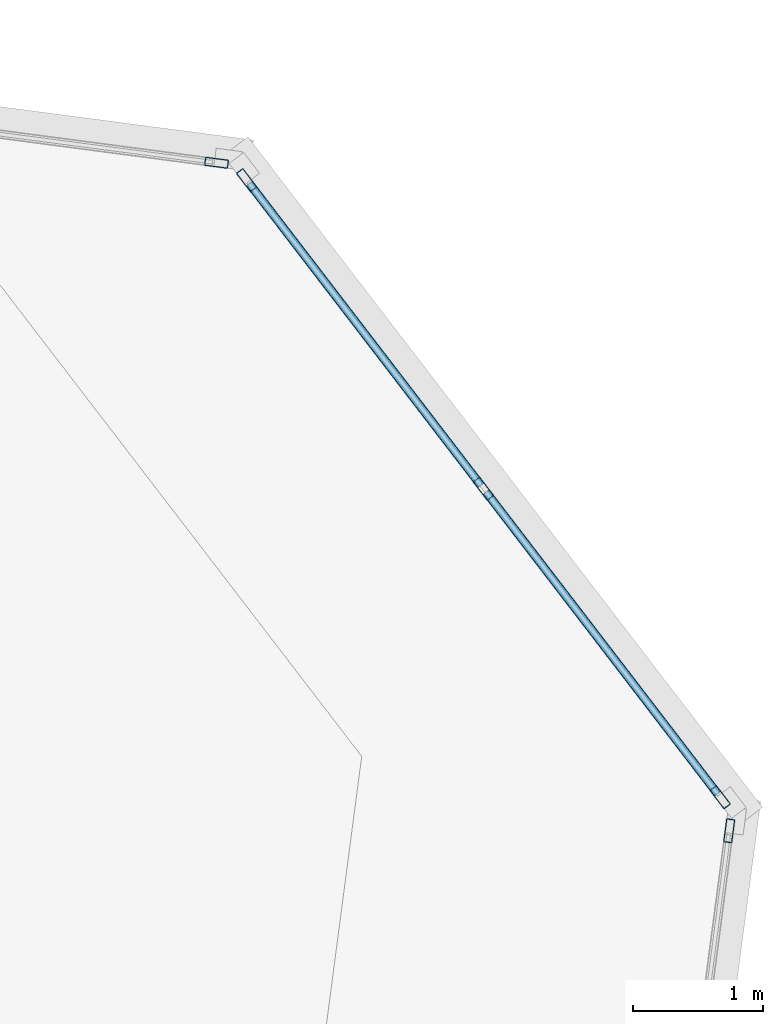
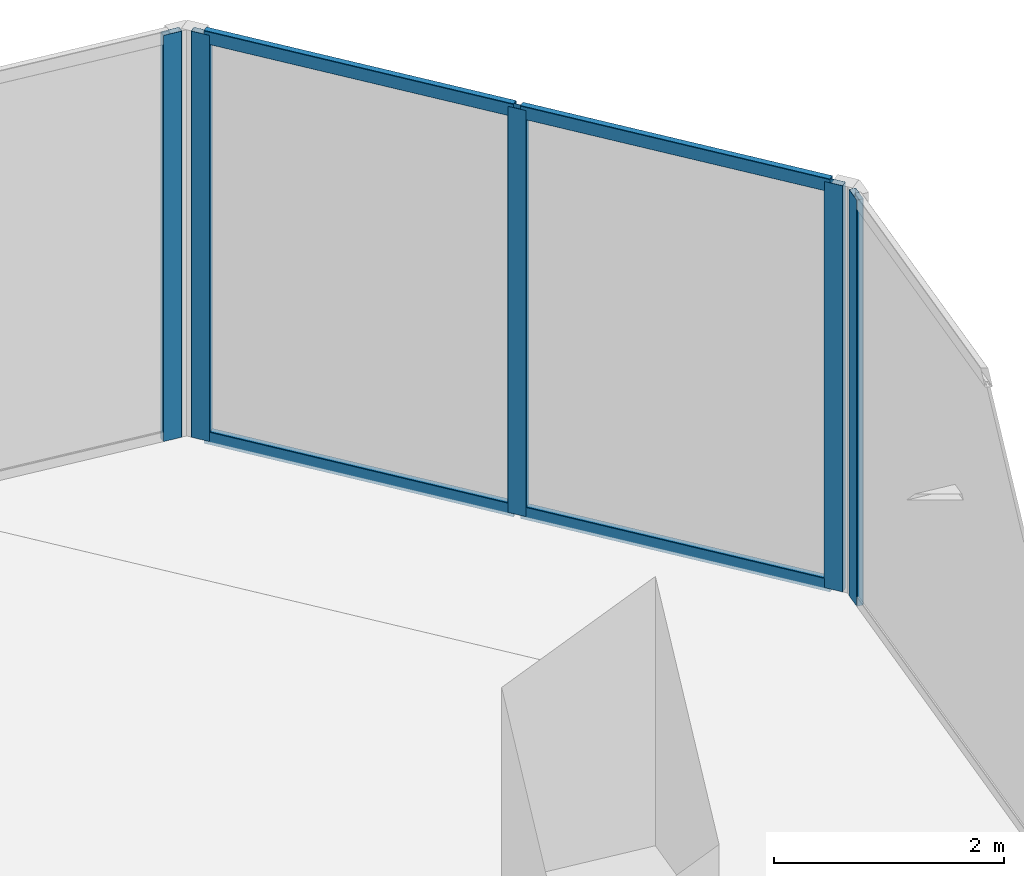
# One storey, part 14 of 24: 9 members, 3 elements without a shape of their own.
"""IFC4 building model written with IfcOpenShell, lengths in metres."""

from ifc_helpers import new_model, si_unit, direction, frame, origin, origin_2d, place, context, subcontext, project, spatial, hollow_rectangle, extrude, source, transform, mapped, material, material_profile, profile_set, type_object, element, aggregate, save


model = new_model("IFC4")

# Units and contexts
model_context = context("Model", 3, precision=1e-05, world=origin(), true_north=direction((0.0, 1.0)))
body_context = subcontext(model_context, "Body", "Model", "MODEL_VIEW")
ifc_project = project(units=[si_unit("LENGTHUNIT", "METRE"), si_unit("AREAUNIT", "SQUARE_METRE"), si_unit("VOLUMEUNIT", "CUBIC_METRE"), si_unit("PLANEANGLEUNIT", "RADIAN"), si_unit("MASSUNIT", "GRAM", prefix="KILO")], contexts=[model_context])

# Site, building, storey
site_placement = place(None, origin())
site = spatial("IfcSite", under=ifc_project, at=site_placement, CompositionType="ELEMENT")
building_placement = place(site_placement, origin())
building = spatial("IfcBuilding", under=site, at=building_placement, Name="Torre Montelarca", CompositionType="ELEMENT")
storey_placement = place(building_placement, frame((0.0, 0.0, 61.60009765625)))
storey = spatial("IfcBuildingStorey", under=building, at=storey_placement, Name="L13", CompositionType="ELEMENT", Elevation=61.60009765625)

# Curtain wall, members
ifc_material_1 = material(Name="Insulated low-E laminated glass", Category="glass")
curtain_wall_type = type_object("IfcCurtainWallType", Name="CW-SYS-Z1", PredefinedType="USERDEFINED", material=ifc_material_1)
curtain_wall_1_placement = place(storey_placement, origin())
curtain_wall_1 = element("IfcCurtainWall", 1, at=curtain_wall_1_placement, inside=storey, type_object=curtain_wall_type, Name="L13 Curtain Wall Run CW-T3-L13-E07-B1", ObjectType="UNITISED GLAZING", PredefinedType="USERDEFINED")
ifc_material_2 = material(Name="Anodised aluminium AA 6063-T6", Category="aluminium")
ifc_material_profile_1 = material_profile(ifc_material_2, hollow_rectangle(XDim=0.06494140625, YDim=0.139892578125, WallThickness=0.00390625, InnerFilletRadius=0.00390625, OuterFilletRadius=0.008056640625, at=origin_2d()), Name="ALU65X140X4", Category="aluminium")
ifc_profile_set_1 = profile_set([ifc_material_profile_1], Name="Anodised aluminium AA 6063-T6")
member_type_1 = type_object("IfcMemberType", Name="CWT-ALU140", PredefinedType="USERDEFINED", material=ifc_profile_set_1)
shared_shape_1 = source(origin(), body_context, "Body", "SweptSolid", [
    extrude(hollow_rectangle(XDim=0.06494140625, YDim=0.139892578125, WallThickness=0.00390625, InnerFilletRadius=0.00390625, OuterFilletRadius=0.008056640625, at=origin_2d()), origin(), (0.0, 0.0, 1.0), 2.918701171875),
])
member_1_placement = place(storey_placement, frame((64.82080078125, 38.169677734375, 0.032470703125), z_axis=(-0.608796748058, 0.793326237783, 0.0), x_axis=(-0.793326237783, -0.608796748058, 0.0)))
member_1 = element("IfcMember", 2, at=member_1_placement, type_object=member_type_1, Name="CW transom 1.1", ObjectType="TRANSOM", PredefinedType="USERDEFINED", context=body_context, shape_type="MappedRepresentation", body=[
    mapped(shared_shape_1, transform((0.0, 0.0, 0.0), scale=1.0)),
])
member_2_placement = place(storey_placement, frame((64.82080078125, 38.169677734375, 4.287353515625), z_axis=(-0.608796748058, 0.793326237783, 0.0), x_axis=(-0.793326237783, -0.608796748058, 0.0)))
member_2 = element("IfcMember", 3, at=member_2_placement, type_object=member_type_1, Name="CW transom 1.2", ObjectType="TRANSOM", PredefinedType="USERDEFINED", context=body_context, shape_type="MappedRepresentation", body=[
    mapped(shared_shape_1, transform((0.0, 0.0, 0.0), scale=1.0)),
])
member_3_placement = place(storey_placement, frame((63.00439453125, 40.53662109375, 0.032470703125), z_axis=(-0.608703699202, 0.793397634593, 0.0), x_axis=(-0.793397634593, -0.608703699202, 0.0)))
member_3 = element("IfcMember", 4, at=member_3_placement, type_object=member_type_1, Name="CW transom 2.1", ObjectType="TRANSOM", PredefinedType="USERDEFINED", context=body_context, shape_type="MappedRepresentation", body=[
    mapped(shared_shape_1, transform((0.0, 0.0, 0.0), scale=1.0)),
])
member_4_placement = place(storey_placement, frame((63.00439453125, 40.53662109375, 4.287353515625), z_axis=(-0.608703699202, 0.793397634593, 0.0), x_axis=(-0.793397634593, -0.608703699202, 0.0)))
member_4 = element("IfcMember", 5, at=member_4_placement, type_object=member_type_1, Name="CW transom 2.2", ObjectType="TRANSOM", PredefinedType="USERDEFINED", context=body_context, shape_type="MappedRepresentation", body=[
    mapped(shared_shape_1, transform((0.0, 0.0, 0.0), scale=1.0)),
])

# Curtain wall, member
curtain_wall_2_placement = place(storey_placement, origin())
curtain_wall_2 = element("IfcCurtainWall", 6, at=curtain_wall_2_placement, inside=storey, type_object=curtain_wall_type, Name="L13 Curtain Wall Run CW-T3-L13-E06-B1", ObjectType="UNITISED GLAZING", PredefinedType="USERDEFINED")
ifc_material_profile_2 = material_profile(ifc_material_2, hollow_rectangle(XDim=0.06494140625, YDim=0.179931640625, WallThickness=0.00390625, InnerFilletRadius=0.00390625, OuterFilletRadius=0.008056640625, at=origin_2d()), Name="ALU65X180X4", Category="aluminium")
ifc_profile_set_2 = profile_set([ifc_material_profile_2], Name="Anodised aluminium AA 6063-T6")
member_type_2 = type_object("IfcMemberType", Name="CWM-ALU180", PredefinedType="MULLION", material=ifc_profile_set_2)
shared_shape_2 = source(origin(), body_context, "Body", "SweptSolid", [
    extrude(hollow_rectangle(XDim=0.06494140625, YDim=0.179931640625, WallThickness=0.00390625, InnerFilletRadius=0.00390625, OuterFilletRadius=0.008056640625, at=origin_2d()), origin(), (0.0, 0.0, 1.0), 4.31982421875),
])
member_5_placement = place(storey_placement, frame((64.90966796875, 37.885986328125, 0.0), z_axis=(0.0, 0.0, 1.0), x_axis=(-0.991445845328, 0.130518718127, 0.0)))
member_5 = element("IfcMember", 7, at=member_5_placement, type_object=member_type_2, Name="CW mullion 3", PredefinedType="MULLION", context=body_context, shape_type="MappedRepresentation", body=[
    mapped(shared_shape_2, transform((0.0, 0.0, 0.0), scale=1.0)),
])
aggregate(curtain_wall_2, [member_5])

# Member
member_6_placement = place(storey_placement, frame((64.840576171875, 38.143798828125, 0.0), z_axis=(0.0, 0.0, 1.0), x_axis=(-0.793359224776, -0.608753760122, 0.0)))
member_6 = element("IfcMember", 8, at=member_6_placement, type_object=member_type_2, Name="CW mullion 1", PredefinedType="MULLION", context=body_context, shape_type="MappedRepresentation", body=[
    mapped(shared_shape_2, transform((0.0, 0.0, 0.0), scale=1.0)),
])

member_7_placement = place(storey_placement, frame((63.024169921875, 40.510986328125, 0.0), z_axis=(0.0, 0.0, 1.0), x_axis=(-0.793359224776, -0.608753760122, 0.0)))
member_7 = element("IfcMember", 9, at=member_7_placement, type_object=member_type_2, Name="CW mullion 2", PredefinedType="MULLION", context=body_context, shape_type="MappedRepresentation", body=[
    mapped(shared_shape_2, transform((0.0, 0.0, 0.0), scale=1.0)),
])

member_8_placement = place(storey_placement, frame((61.207763671875, 42.8779296875, 0.0), z_axis=(0.0, 0.0, 1.0), x_axis=(-0.793359224776, -0.608753760122, 0.0)))
member_8 = element("IfcMember", 10, at=member_8_placement, type_object=member_type_2, Name="CW mullion 3", PredefinedType="MULLION", context=body_context, shape_type="MappedRepresentation", body=[
    mapped(shared_shape_2, transform((0.0, 0.0, 0.0), scale=1.0)),
])

aggregate(curtain_wall_1, [member_6, member_7, member_8, member_1, member_2, member_3, member_4])

# Curtain wall, member
curtain_wall_3_placement = place(storey_placement, origin())
curtain_wall_3 = element("IfcCurtainWall", 11, at=curtain_wall_3_placement, inside=storey, type_object=curtain_wall_type, Name="L13 Curtain Wall Run CW-T3-L13-E08-B1", ObjectType="UNITISED GLAZING", PredefinedType="USERDEFINED")
member_9_placement = place(storey_placement, frame((60.9765625, 43.011474609375, 0.0), z_axis=(0.0, 0.0, 1.0), x_axis=(-0.130522739159, -0.991445315972, 0.0)))
member_9 = element("IfcMember", 12, at=member_9_placement, type_object=member_type_2, Name="CW mullion 1", PredefinedType="MULLION", context=body_context, shape_type="MappedRepresentation", body=[
    mapped(shared_shape_2, transform((0.0, 0.0, 0.0), scale=1.0)),
])
aggregate(curtain_wall_3, [member_9])

save(model, "model.ifc")
